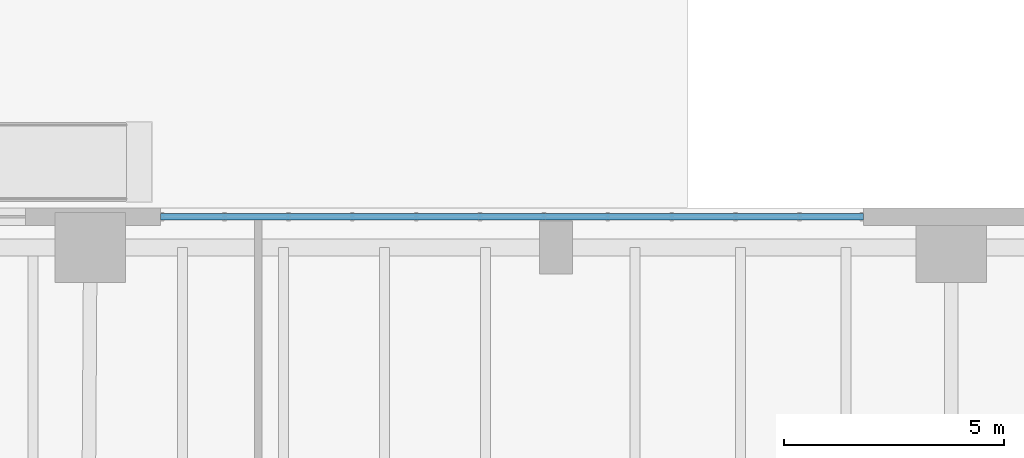
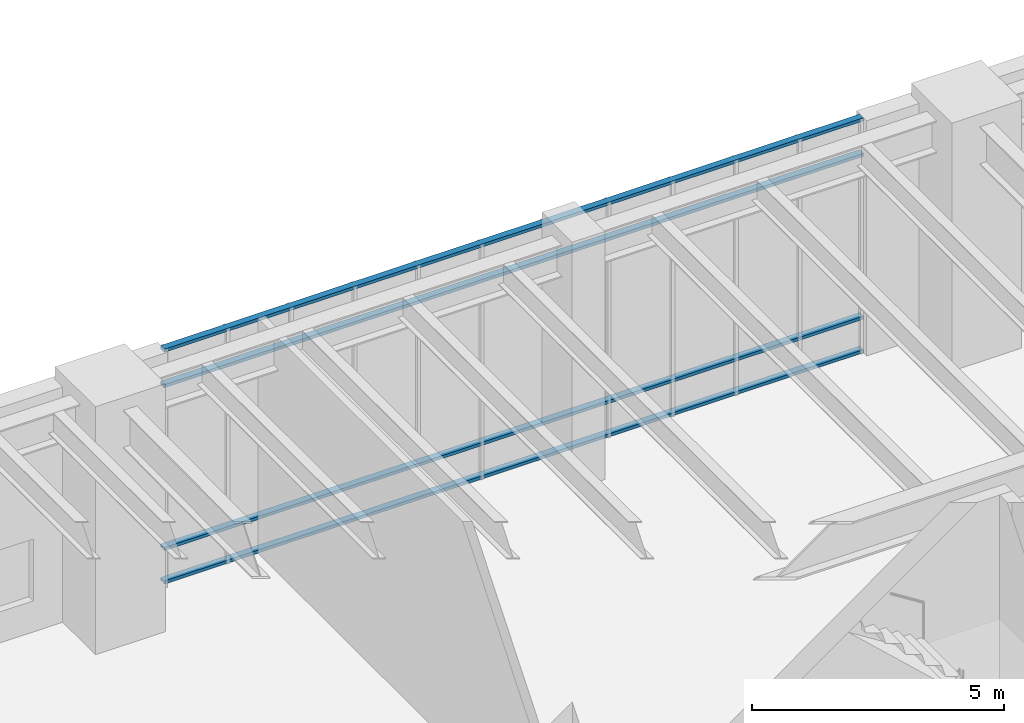
# One storey, part 10 of 28: 4 members, 1 element without a shape of its own.
"""IFC4 building model written with IfcOpenShell, lengths in metres."""

from ifc_helpers import new_model, si_unit, direction, frame, origin, origin_2d, place, context, subcontext, project, spatial, hollow_rectangle, extrude, material, layer, layer_set, material_profile, profile_set, type_object, element, aggregate, save


model = new_model("IFC4")

# Units and contexts
model_context = context("Model", 3, precision=1e-05, world=origin(), true_north=direction((0.0, 1.0)))
body_context = subcontext(model_context, "Body", "Model", "MODEL_VIEW")
ifc_project = project(units=[si_unit("LENGTHUNIT", "METRE"), si_unit("AREAUNIT", "SQUARE_METRE"), si_unit("VOLUMEUNIT", "CUBIC_METRE"), si_unit("PLANEANGLEUNIT", "RADIAN"), si_unit("MASSUNIT", "GRAM", prefix="KILO"), si_unit("THERMODYNAMICTEMPERATUREUNIT", "KELVIN"), si_unit("POWERUNIT", "WATT")], contexts=[model_context])

# Site, building, storey
site_placement = place(None, origin())
site = spatial("IfcSite", under=ifc_project, at=site_placement, CompositionType="ELEMENT")
building_placement = place(site_placement, origin())
building = spatial("IfcBuilding", under=site, at=building_placement, Name="Skarre Station Tower", CompositionType="ELEMENT")
storey_placement = place(building_placement, origin())
storey = spatial("IfcBuildingStorey", under=building, at=storey_placement, Name="L01", CompositionType="ELEMENT", Elevation=0.0)

# Curtain wall, members
ifc_material_1 = material(Name="Thermally Broken Bronze-Anodized Aluminium & Triple Low-E Glass", Category="aluminium")
ifc_layer = layer(ifc_material_1, 0.239990234375, Name="Thermally Broken Bronze-Anodized Aluminium & Triple Low-E Glass")
ifc_layer_set = layer_set([ifc_layer], Name="Thermally Broken Bronze-Anodized Aluminium & Triple Low-E Glass")
curtain_wall_type = type_object("IfcCurtainWallType", Name="Station Concourse Monumental Unitised Curtain Wall", PredefinedType="NOTDEFINED", material=ifc_layer_set)
curtain_wall_placement = place(storey_placement, origin())
curtain_wall = element("IfcCurtainWall", 1, at=curtain_wall_placement, inside=storey, type_object=curtain_wall_type, Name="L01 North Arcade West Curtain Wall", PredefinedType="NOTDEFINED")
ifc_material_2 = material(Name="Anodized Aluminium 6063-T6", Category="aluminium")
ifc_material_profile = material_profile(ifc_material_2, hollow_rectangle(XDim=0.074951171875, YDim=0.14990234375, WallThickness=0.00390625, at=origin_2d()), Name="Anodized Aluminium 6063-T6")
ifc_profile_set = profile_set([ifc_material_profile], Name="Anodized Aluminium 6063-T6")
member_type = type_object("IfcMemberType", Name="Curtain-Wall Horizontal Transom 150x75", PredefinedType="USERDEFINED", material=ifc_profile_set)
member_1_placement = place(storey_placement, frame((18.0, 47.800048828125, 0.0400390625), z_axis=(1.0, 0.0, 0.0), x_axis=(0.0, 0.0, 1.0)))
member_1 = element("IfcMember", 2, at=member_1_placement, type_object=member_type, Name="L01 North Arcade West Curtain Wall Transom 1", ObjectType="TRANSOM", PredefinedType="USERDEFINED", context=body_context, shape_type="SweptSolid", body=[
    extrude(hollow_rectangle(XDim=0.074951171875, YDim=0.14990234375, WallThickness=0.00390625, at=origin_2d()), origin(), (0.0, 0.0, 1.0), 16.0),
])
member_2_placement = place(storey_placement, frame((18.0, 47.800048828125, 0.85009765625), z_axis=(1.0, 0.0, 0.0), x_axis=(0.0, 0.0, 1.0)))
member_2 = element("IfcMember", 3, at=member_2_placement, type_object=member_type, Name="L01 North Arcade West Curtain Wall Transom 2", ObjectType="TRANSOM", PredefinedType="USERDEFINED", context=body_context, shape_type="SweptSolid", body=[
    extrude(hollow_rectangle(XDim=0.074951171875, YDim=0.14990234375, WallThickness=0.00390625, at=origin_2d()), origin(), (0.0, 0.0, 1.0), 16.0),
])
member_3_placement = place(storey_placement, frame((18.0, 47.800048828125, 4.7900390625), z_axis=(1.0, 0.0, 0.0), x_axis=(0.0, 0.0, 1.0)))
member_3 = element("IfcMember", 4, at=member_3_placement, type_object=member_type, Name="L01 North Arcade West Curtain Wall Transom 3", ObjectType="TRANSOM", PredefinedType="USERDEFINED", context=body_context, shape_type="SweptSolid", body=[
    extrude(hollow_rectangle(XDim=0.074951171875, YDim=0.14990234375, WallThickness=0.00390625, at=origin_2d()), origin(), (0.0, 0.0, 1.0), 16.0),
])
member_4_placement = place(storey_placement, frame((18.0, 47.800048828125, 5.64990234375), z_axis=(1.0, 0.0, 0.0), x_axis=(0.0, 0.0, 1.0)))
member_4 = element("IfcMember", 5, at=member_4_placement, type_object=member_type, Name="L01 North Arcade West Curtain Wall Transom 4", ObjectType="TRANSOM", PredefinedType="USERDEFINED", context=body_context, shape_type="SweptSolid", body=[
    extrude(hollow_rectangle(XDim=0.074951171875, YDim=0.14990234375, WallThickness=0.00390625, at=origin_2d()), origin(), (0.0, 0.0, 1.0), 16.0),
])
aggregate(curtain_wall, [member_1, member_2, member_3, member_4])

save(model, "model.ifc")
